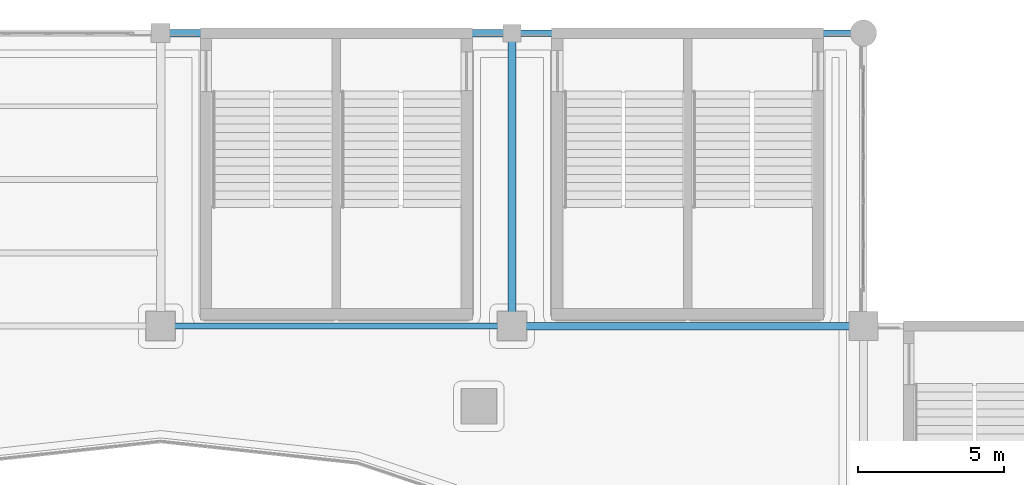
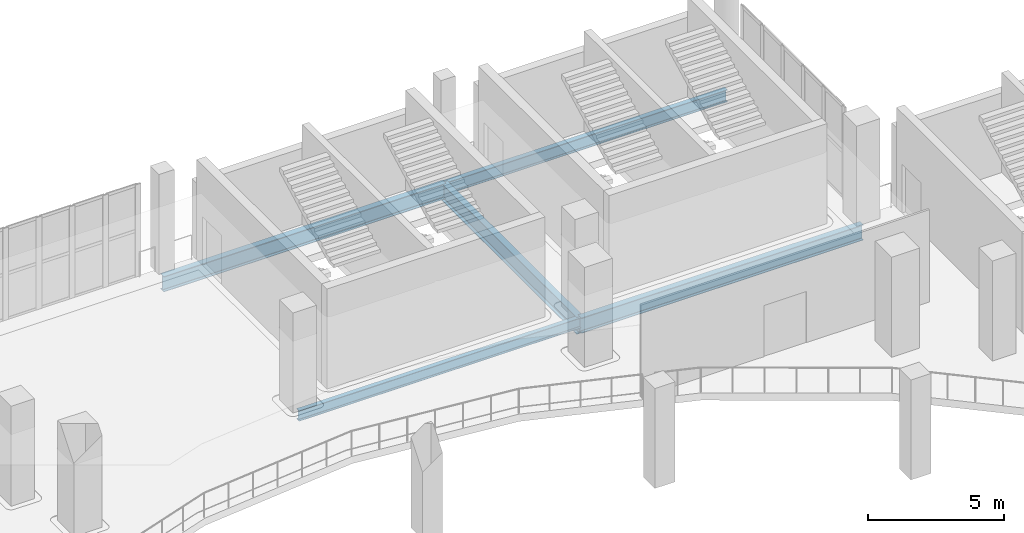
# One storey, part 46 of 108: 5 beams.
"""IFC4 building model written with IfcOpenShell, lengths in metres."""

from ifc_helpers import new_model, si_unit, direction, frame, origin, origin_2d, place, context, subcontext, project, spatial, i_section, extrude, material, material_profile, profile_set, type_object, element, save


model = new_model("IFC4")

# Units and contexts
model_context = context("Model", 3, precision=1e-05, world=origin(), true_north=direction((0.0, 1.0)))
body_context = subcontext(model_context, "Body", "Model", "MODEL_VIEW")
ifc_project = project(units=[si_unit("LENGTHUNIT", "METRE"), si_unit("AREAUNIT", "SQUARE_METRE"), si_unit("VOLUMEUNIT", "CUBIC_METRE"), si_unit("PLANEANGLEUNIT", "RADIAN"), si_unit("MASSUNIT", "GRAM", prefix="KILO")], contexts=[model_context])

# Site, building, storey
site_placement = place(None, origin())
site = spatial("IfcSite", under=ifc_project, at=site_placement, CompositionType="ELEMENT")
building_placement = place(site_placement, origin())
building = spatial("IfcBuilding", under=site, at=building_placement, Name="Brinegate Civic Arena", CompositionType="ELEMENT")
storey_placement = place(building_placement, frame((0.0, 0.0, 10.199951171875)))
storey = spatial("IfcBuildingStorey", under=building, at=storey_placement, Name="L02", CompositionType="ELEMENT", Elevation=10.199951171875)

# Beams
ifc_material = material(Name="Steel S355", Category="steel")
ifc_material_profile_1 = material_profile(ifc_material, i_section(OverallWidth=0.26806640625, OverallDepth=0.77001953125, WebThickness=0.01611328125, FlangeThickness=0.02490234375, FilletRadius=0.02001953125, at=origin_2d()), Name="W760X196")
ifc_profile_set_1 = profile_set([ifc_material_profile_1], Name="Steel S355")
beam_type_1 = type_object("IfcBeamType", Name="GIRDER-W760X196", PredefinedType="BEAM", material=ifc_profile_set_1)
beam_1_placement = place(storey_placement, frame((120.0, 114.0, -0.71484375), z_axis=(0.0, 1.0, 0.0), x_axis=(-1.0, 0.0, 0.0)))
element("IfcBeam", 1, at=beam_1_placement, inside=storey, type_object=beam_type_1, Name="Floor Girder BM-L02-GY-10-11", PredefinedType="BEAM", context=body_context, shape_type="SweptSolid", body=[
    extrude(i_section(OverallWidth=0.26806640625, OverallDepth=0.77001953125, WebThickness=0.01611328125, FlangeThickness=0.02490234375, FilletRadius=0.02001953125, at=origin_2d()), origin(), (0.0, 0.0, 1.0), 10.0),
])
ifc_material_profile_2 = material_profile(ifc_material, i_section(OverallWidth=0.193115234375, OverallDepth=0.466064453125, WebThickness=0.010986328125, FlangeThickness=0.01904296875, FilletRadius=0.014892578125, at=origin_2d()), Name="W460X97")
ifc_profile_set_2 = profile_set([ifc_material_profile_2], Name="Steel S355")
beam_type_2 = type_object("IfcBeamType", Name="SPANDREL-W460X97", PredefinedType="SPANDREL", material=ifc_profile_set_2)
beam_2_placement = place(storey_placement, frame((108.0, 114.0, -0.56298828125), z_axis=(1.0, 0.0, 0.0), x_axis=(0.0, 1.0, 0.0)))
element("IfcBeam", 2, at=beam_2_placement, inside=storey, type_object=beam_type_2, Name="Floor Girder BM-L02-GX-09-11", PredefinedType="SPANDREL", context=body_context, shape_type="SweptSolid", body=[
    extrude(i_section(OverallWidth=0.193115234375, OverallDepth=0.466064453125, WebThickness=0.010986328125, FlangeThickness=0.01904296875, FilletRadius=0.014892578125, at=origin_2d()), origin(), (0.0, 0.0, 1.0), 12.0),
])
ifc_material_profile_3 = material_profile(ifc_material, i_section(OverallWidth=0.2119140625, OverallDepth=0.5439453125, WebThickness=0.012939453125, FlangeThickness=0.02099609375, FilletRadius=0.01611328125, at=origin_2d()), Name="W530X123")
ifc_profile_set_3 = profile_set([ifc_material_profile_3], Name="Steel S355")
beam_type_3 = type_object("IfcBeamType", Name="SPANDREL-W530X123", PredefinedType="SPANDREL", material=ifc_profile_set_3)
beam_3_placement = place(storey_placement, frame((120.0, 124.0, -0.60205078125), z_axis=(1.0, 0.0, 0.0), x_axis=(0.0, 1.0, 0.0)))
element("IfcBeam", 3, at=beam_3_placement, inside=storey, type_object=beam_type_3, Name="Floor Girder BM-L02-GX-10-12", PredefinedType="SPANDREL", context=body_context, shape_type="SweptSolid", body=[
    extrude(i_section(OverallWidth=0.2119140625, OverallDepth=0.5439453125, WebThickness=0.012939453125, FlangeThickness=0.02099609375, FilletRadius=0.01611328125, at=origin_2d()), origin(), (0.0, 0.0, 1.0), 12.0),
])
ifc_material_profile_4 = material_profile(ifc_material, i_section(OverallWidth=0.256103515625, OverallDepth=0.693115234375, WebThickness=0.014892578125, FlangeThickness=0.02392578125, FilletRadius=0.01806640625, at=origin_2d()), Name="W690X170")
ifc_profile_set_4 = profile_set([ifc_material_profile_4], Name="Steel S355")
beam_type_4 = type_object("IfcBeamType", Name="SPANDREL-W690X170", PredefinedType="SPANDREL", material=ifc_profile_set_4)
for number, where, z_axis, x_axis, name in (
    (4, (120.0, 114.0, -0.676025390625), (1.0, 0.0, 0.0), (0.0, 1.0, 0.0), "Floor Girder BM-L02-GX-10-11"),
    (5, (108.0, 124.0, -0.676025390625), (1.0, 0.0, 0.0), (0.0, 1.0, 0.0), "Floor Girder BM-L02-GX-09-12"),
):
    element("IfcBeam", number, at=place(storey_placement, frame(where, z_axis=z_axis, x_axis=x_axis)), inside=storey, type_object=beam_type_4, Name=name, PredefinedType="SPANDREL", context=body_context, shape_type="SweptSolid", body=[
        extrude(i_section(OverallWidth=0.256103515625, OverallDepth=0.693115234375, WebThickness=0.014892578125, FlangeThickness=0.02392578125, FilletRadius=0.01806640625, at=origin_2d()), origin(), (0.0, 0.0, 1.0), 12.0),
    ])

save(model, "model.ifc")
